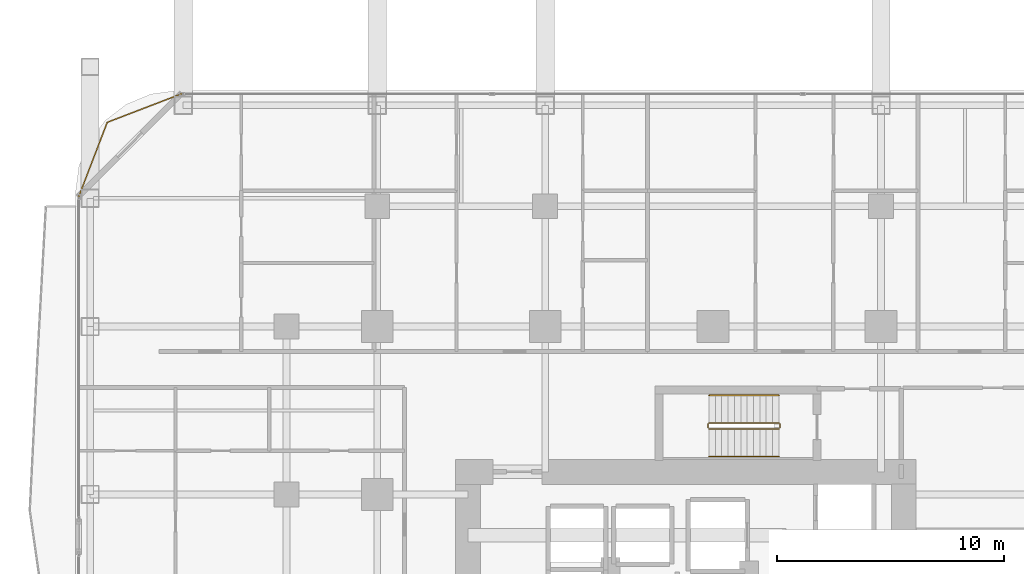
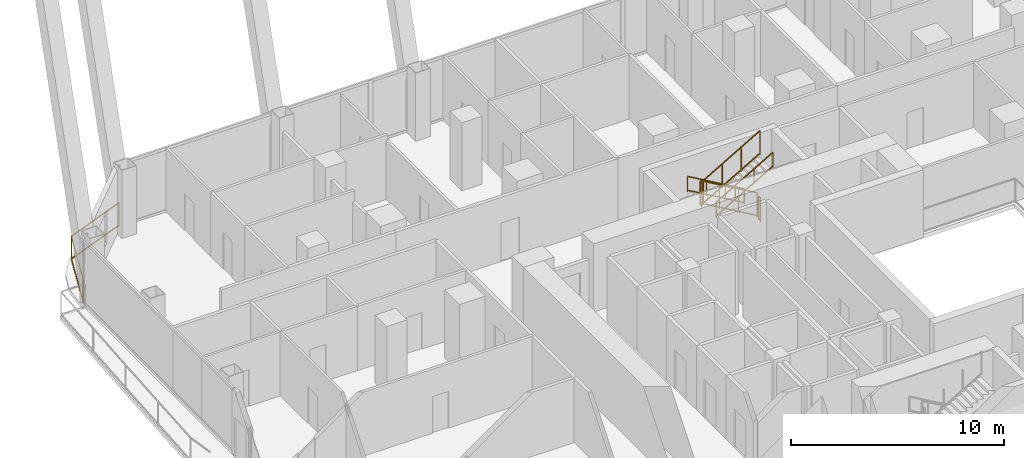
# One storey, part 32 of 33: 7 railings.
"""IFC4 building model written with IfcOpenShell, lengths in metres."""

import ifcopenshell
import ifcopenshell.guid

model = None  # the IFC model being written
_history = None  # IfcOwnerHistory: only IFC2X3 demands one
_inside = {}  # id of a spatial element -> (the spatial element, [elements in it])
_under = {}  # id of a project, library or spatial element -> (it, [spatial elements below it])
_declared = {}  # id of a project -> (the project, [libraries it declares])
_typed = {}  # id of a type object -> (the type object, [elements of that type])
_made_of = {}  # id of a material, layer set ... -> (it, [elements and type objects made of it])


def new_model(schema):
    """Start an empty IFC model of exactly this schema.

    Asked for "IFC4X3", IfcOpenShell would pick the latest addendum, in which some entities
    have other attributes; the version numbers below select the first issue.
    IFC2X3 requires an IfcOwnerHistory on every rooted entity: one is made here for all.
    """
    global model, _history
    if schema == "IFC4X3":
        model = ifcopenshell.file(schema_version=(4, 3, 0, 0))
    else:
        model = ifcopenshell.file(schema=schema)
    _inside.clear()
    _under.clear()
    _declared.clear()
    _typed.clear()
    _made_of.clear()
    _history = None
    if model.schema == "IFC2X3":
        org = make("IfcOrganization", Name="unknown")
        user = make(
            "IfcPersonAndOrganization",
            ThePerson=make("IfcPerson", FamilyName="unknown"),
            TheOrganization=org,
        )
        app = make(
            "IfcApplication",
            ApplicationDeveloper=org,
            Version="unknown",
            ApplicationFullName="unknown",
            ApplicationIdentifier="unknown",
        )
        _history = make(
            "IfcOwnerHistory",
            OwningUser=user,
            OwningApplication=app,
            ChangeAction="ADDED",
            CreationDate=0,
        )
    return model


def make(cls, **values):
    """One entity of the class cls with the attributes given. An attribute that is None is left unset."""
    return model.create_entity(
        cls, **{name: value for name, value in values.items() if value is not None}
    )


def rooted(cls, **values):
    """An entity with a GlobalId (a new one), such as an element, a storey or a relation."""
    return make(cls, GlobalId=ifcopenshell.guid.new(), OwnerHistory=_history, **values)


def si_unit(unit_type, name, prefix=None):
    """IfcSIUnit, for example si_unit("LENGTHUNIT", "METRE", prefix="MILLI")."""
    return make("IfcSIUnit", UnitType=unit_type, Prefix=prefix, Name=name)


def assignment(units):
    """IfcUnitAssignment: the units of a project."""
    return None if units is None else make("IfcUnitAssignment", Units=units)


def point(xyz):
    """IfcCartesianPoint."""
    return None if xyz is None else make("IfcCartesianPoint", Coordinates=xyz)


def direction(xyz):
    """IfcDirection."""
    return None if xyz is None else make("IfcDirection", DirectionRatios=xyz)


def frame(location, z_axis=None, x_axis=None):
    """IfcAxis2Placement3D, a coordinate frame: its origin and axes. An axis left out is left unset."""
    return make(
        "IfcAxis2Placement3D",
        Location=point(location),
        Axis=direction(z_axis),
        RefDirection=direction(x_axis),
    )


def frame_2d(location, x_axis=None):
    """IfcAxis2Placement2D, a coordinate frame in the plane: its origin and x axis."""
    return make(
        "IfcAxis2Placement2D", Location=point(location), RefDirection=direction(x_axis)
    )


def origin():
    """The frame at (0, 0, 0) with its axes left unset."""
    return frame((0.0, 0.0, 0.0))


def origin_2d():
    """The frame at (0, 0) in the plane with its x axis left unset."""
    return frame_2d((0.0, 0.0))


def place(relative_to, where):
    """IfcLocalPlacement: puts the frame where relative to a parent placement (None: the world)."""
    return make(
        "IfcLocalPlacement", PlacementRelTo=relative_to, RelativePlacement=where
    )


def context(
    kind, dimensions, precision=None, world=None, true_north=None, identifier=None
):
    """IfcGeometricRepresentationContext, for example the 3D "Model" context."""
    return make(
        "IfcGeometricRepresentationContext",
        ContextIdentifier=identifier,
        ContextType=kind,
        CoordinateSpaceDimension=dimensions,
        Precision=precision,
        WorldCoordinateSystem=world,
        TrueNorth=true_north,
    )


def subcontext(parent, identifier, kind, view, scale=None):
    """IfcGeometricRepresentationSubContext, for example "Body" below "Model"."""
    return make(
        "IfcGeometricRepresentationSubContext",
        ContextIdentifier=identifier,
        ContextType=kind,
        ParentContext=parent,
        TargetScale=scale,
        TargetView=view,
    )


def project(units=None, contexts=None):
    """IfcProject with its units and contexts."""
    return rooted(
        "IfcProject",
        Name="project",
        RepresentationContexts=contexts,
        UnitsInContext=assignment(units),
    )


def spatial(cls, under=None, at=None, **own):
    """A site, building, storey or space (cls), placed at a placement, below another one or the project."""
    s = rooted(cls, ObjectPlacement=at, **own)
    if under is not None:
        _under.setdefault(under.id(), (under, []))[1].append(s)
    return s


def profile(cls, at=None, kind="AREA", **sizes):
    """A parametric profile (cls). Its sizes go by their IFC names, for example OverallWidth=200.0."""
    return make(cls, ProfileType=kind, Position=at, **sizes)


def rectangle(**sizes):
    """IfcRectangleProfileDef."""
    return profile("IfcRectangleProfileDef", **sizes)


def extrude(swept, where, along, depth):
    """IfcExtrudedAreaSolid: the profile swept, set in the frame where, extruded along a direction by depth."""
    return make(
        "IfcExtrudedAreaSolid",
        SweptArea=swept,
        Position=where,
        ExtrudedDirection=direction(along),
        Depth=depth,
    )


def shape(context_of_items, identifier, shape_type, items):
    """IfcShapeRepresentation: the items that make up one representation, for example the "Body"."""
    return make(
        "IfcShapeRepresentation",
        ContextOfItems=context_of_items,
        RepresentationIdentifier=identifier,
        RepresentationType=shape_type,
        Items=items,
    )


def material(Name=None, Category=None):
    """IfcMaterial."""
    return make("IfcMaterial", Name=Name, Category=Category)


def made_of(thing, what):
    """Note that an element or type object is made of a material, layer set ...; save() writes the relation."""
    if what is not None:
        _made_of.setdefault(what.id(), (what, []))[1].append(thing)
    return thing


def type_object(cls, material=None, **own):
    """A type object (cls), such as IfcWallType, which elements share."""
    return made_of(rooted(cls, **own), material)


def element(
    cls,
    number,
    at=None,
    inside=None,
    cuts=None,
    type_object=None,
    material=None,
    context=None,
    identifier="Body",
    shape_type=None,
    held_by="IfcProductDefinitionShape",
    body=None,
    shapes=None,
    **own,
):
    """One element of the class cls, such as IfcWall. Its Tag is "e" and its number.

    at: its placement. inside: the storey or other place that contains it. cuts: it is an
    opening in that element (IfcRelVoidsElement). A single representation is given by context,
    identifier, shape_type and body (its items); several are given by shapes. held_by: the class
    of the entity that holds the representations. save() writes the other relations.
    """
    e = rooted(cls, Tag="e%d" % number, ObjectPlacement=at, **own)
    if body is not None:
        shapes = [shape(context, identifier, shape_type, body)]
    if shapes is not None:
        e.Representation = make(held_by, Representations=shapes)
    if inside is not None:
        _inside.setdefault(inside.id(), (inside, []))[1].append(e)
    if cuts is not None:
        rooted(
            "IfcRelVoidsElement", RelatingBuildingElement=cuts, RelatedOpeningElement=e
        )
    if type_object is not None:
        _typed.setdefault(type_object.id(), (type_object, []))[1].append(e)
    return made_of(e, material)


def aggregate(whole, parts):
    """IfcRelAggregates: a whole, such as a stair, and the parts it consists of."""
    return rooted("IfcRelAggregates", RelatingObject=whole, RelatedObjects=parts)


def save(model, path):
    """Write the relations noted so far, then the file.

    IfcRelAggregates (storeys below a building ...), IfcRelContainedInSpatialStructure (elements
    in a storey), IfcRelDefinesByType, IfcRelAssociatesMaterial and IfcRelDeclares: one each for
    every whole, place, type object, material and project.
    """
    for whole, parts in _under.values():
        aggregate(whole, parts)
    for where, things in _inside.values():
        rooted(
            "IfcRelContainedInSpatialStructure",
            RelatedElements=things,
            RelatingStructure=where,
        )
    for kind, things in _typed.values():
        rooted("IfcRelDefinesByType", RelatedObjects=things, RelatingType=kind)
    for what, things in _made_of.values():
        rooted("IfcRelAssociatesMaterial", RelatedObjects=things, RelatingMaterial=what)
    for by, libraries in _declared.values():
        rooted("IfcRelDeclares", RelatingContext=by, RelatedDefinitions=libraries)
    model.write(path)


model = new_model("IFC4")

# Units and contexts
model_context = context("Model", 3, precision=1e-05, world=origin(), true_north=direction((0.0, 1.0)))
body_context = subcontext(model_context, "Body", "Model", "MODEL_VIEW")
ifc_project = project(units=[si_unit("LENGTHUNIT", "METRE"), si_unit("AREAUNIT", "SQUARE_METRE"), si_unit("VOLUMEUNIT", "CUBIC_METRE"), si_unit("PLANEANGLEUNIT", "RADIAN"), si_unit("MASSUNIT", "GRAM", prefix="KILO")], contexts=[model_context])

# Site, building, storey
site_placement = place(None, origin())
site = spatial("IfcSite", under=ifc_project, at=site_placement, CompositionType="ELEMENT")
building_placement = place(site_placement, origin())
building = spatial("IfcBuilding", under=site, at=building_placement, Name="Khorvyn Point Tower", CompositionType="ELEMENT")
storey_placement = place(building_placement, frame((0.0, 0.0, 65.699951171875)))
storey = spatial("IfcBuildingStorey", under=building, at=storey_placement, Name="L17", CompositionType="ELEMENT", Elevation=65.699951171875)

# Railings
ifc_material_1 = material(Name="Anodised aluminium 6063-T6 and laminated safety glass", Category="aluminium")
railing_type_1 = type_object("IfcRailingType", Name="Laminated Glass and Aluminium Balcony Guardrail 1400", PredefinedType="BALUSTRADE", material=ifc_material_1)
railing_1_placement = place(storey_placement, frame((-23.370849609375, 25.073974609375, 0.0)))
element("IfcRailing", 1, at=railing_1_placement, inside=storey, type_object=railing_type_1, Name="L17 Rounded Corner Edge Guardrail NW", PredefinedType="BALUSTRADE", context=body_context, shape_type="SweptSolid", body=[
    extrude(rectangle(XDim=0.048095703125, YDim=0.048095703125, at=origin_2d()), frame((0.0, 0.0, 1.3759765625), z_axis=(-0.933575007025, -0.358382067435, 0.0), x_axis=(0.358382067435, -0.933575007025, 0.0)), (0.0, 0.0, 1.0), 3.562744140625),
    extrude(rectangle(XDim=0.048095703125, YDim=0.048095703125, at=origin_2d()), frame((0.0, 0.0, 0.080078125), z_axis=(-0.933575007025, -0.358382067435, 0.0), x_axis=(0.358382067435, -0.933575007025, 0.0)), (0.0, 0.0, 1.0), 3.562744140625),
    extrude(rectangle(XDim=0.048095703125, YDim=0.048095703125, at=origin_2d()), frame((-3.326171875, -1.27685546875, 1.3759765625), z_axis=(-0.35841886047, -0.933560882031, 0.0), x_axis=(0.933560882031, -0.35841886047, 0.0)), (0.0, 0.0, 1.0), 3.563232421875),
    extrude(rectangle(XDim=0.048095703125, YDim=0.048095703125, at=origin_2d()), frame((-3.326171875, -1.27685546875, 0.080078125), z_axis=(-0.35841886047, -0.933560882031, 0.0), x_axis=(0.933560882031, -0.35841886047, 0.0)), (0.0, 0.0, 1.0), 3.563232421875),
    extrude(rectangle(XDim=0.0419921875, YDim=0.0419921875, at=origin_2d()), origin(), (0.0, 0.0, 1.0), 1.351806640625),
    extrude(rectangle(XDim=0.0419921875, YDim=0.0419921875, at=origin_2d()), frame((-3.326171875, -1.27685546875, 0.0)), (0.0, 0.0, 1.0), 1.351806640625),
    extrude(rectangle(XDim=0.0419921875, YDim=0.0419921875, at=origin_2d()), frame((-4.603271484375, -4.603271484375, 0.0)), (0.0, 0.0, 1.0), 1.351806640625),
])
ifc_material_2 = material(Name="Stainless steel 1.4301", Category="steel")
railing_type_2 = type_object("IfcRailingType", Name="Stainless Steel 304 Stair Pitch Handrail 900", PredefinedType="HANDRAIL", material=ifc_material_2)
railing_2_placement = place(storey_placement, frame((2.89990234375, 11.77001953125, 0.16259765625)))
element("IfcRailing", 2, at=railing_2_placement, inside=storey, type_object=railing_type_2, Name="L17 ST-02 stair handrail 1", PredefinedType="HANDRAIL", context=body_context, shape_type="SweptSolid", body=[
    extrude(rectangle(XDim=0.048095703125, YDim=0.048095703125, at=origin_2d()), frame((0.0, 0.0, 0.8759765625), z_axis=(-0.864903211148, 0.0, 0.501938676878), x_axis=(0.0, -1.0, 0.0)), (0.0, 0.0, 1.0), 3.560791015625),
    extrude(rectangle(XDim=0.048095703125, YDim=0.048095703125, at=origin_2d()), frame((0.0, 0.0, 0.080078125), z_axis=(-0.864903211148, 0.0, 0.501938676878), x_axis=(0.0, -1.0, 0.0)), (0.0, 0.0, 1.0), 3.560791015625),
    extrude(rectangle(XDim=0.0419921875, YDim=0.0419921875, at=origin_2d()), origin(), (0.0, 0.0, 1.0), 0.851806640625),
    extrude(rectangle(XDim=0.0419921875, YDim=0.0419921875, at=origin_2d()), frame((-1.026611328125, 0.0, 0.595703125)), (0.0, 0.0, 1.0), 0.851806640625),
    extrude(rectangle(XDim=0.0419921875, YDim=0.0419921875, at=origin_2d()), frame((-2.05322265625, 0.0, 1.191650390625)), (0.0, 0.0, 1.0), 0.851806640625),
    extrude(rectangle(XDim=0.0419921875, YDim=0.0419921875, at=origin_2d()), frame((-3.079833984375, 0.0, 1.787353515625)), (0.0, 0.0, 1.0), 0.851806640625),
])
railing_3_placement = place(storey_placement, frame((-0.179931640625, 9.070068359375, 2.112548828125)))
element("IfcRailing", 3, at=railing_3_placement, inside=storey, type_object=railing_type_2, Name="L17 ST-02 stair handrail 2", PredefinedType="HANDRAIL", context=body_context, shape_type="SweptSolid", body=[
    extrude(rectangle(XDim=0.048095703125, YDim=0.048095703125, at=origin_2d()), frame((0.0, 0.0, 0.8759765625), z_axis=(0.864873446163, 0.0, 0.501989962173), x_axis=(0.0, 1.0, 0.0)), (0.0, 0.0, 1.0), 3.56103515625),
    extrude(rectangle(XDim=0.048095703125, YDim=0.048095703125, at=origin_2d()), frame((0.0, 0.0, 0.080078125), z_axis=(0.864873446163, 0.0, 0.501989962173), x_axis=(0.0, 1.0, 0.0)), (0.0, 0.0, 1.0), 3.56103515625),
    extrude(rectangle(XDim=0.0419921875, YDim=0.0419921875, at=origin_2d()), origin(), (0.0, 0.0, 1.0), 0.851806640625),
    extrude(rectangle(XDim=0.0419921875, YDim=0.0419921875, at=origin_2d()), frame((1.026611328125, 0.0, 0.595947265625)), (0.0, 0.0, 1.0), 0.851806640625),
    extrude(rectangle(XDim=0.0419921875, YDim=0.0419921875, at=origin_2d()), frame((2.05322265625, 0.0, 1.191650390625)), (0.0, 0.0, 1.0), 0.851806640625),
    extrude(rectangle(XDim=0.0419921875, YDim=0.0419921875, at=origin_2d()), frame((3.079833984375, 0.0, 1.78759765625)), (0.0, 0.0, 1.0), 0.851806640625),
])
railing_type_3 = type_object("IfcRailingType", Name="Stainless Steel 304 Stair Well Guardrail 1400", PredefinedType="GUARDRAIL", material=ifc_material_2)
railing_4_placement = place(storey_placement, frame((2.89990234375, 10.550048828125, 0.16259765625)))
element("IfcRailing", 4, at=railing_4_placement, inside=storey, type_object=railing_type_3, Name="L17 ST-02 stair guard 1", PredefinedType="GUARDRAIL", context=body_context, shape_type="SweptSolid", body=[
    extrude(rectangle(XDim=0.048095703125, YDim=0.048095703125, at=origin_2d()), frame((0.0, 0.0, 1.3759765625), z_axis=(-0.864903211148, 0.0, 0.501938676878), x_axis=(0.0, -1.0, 0.0)), (0.0, 0.0, 1.0), 3.560791015625),
    extrude(rectangle(XDim=0.048095703125, YDim=0.048095703125, at=origin_2d()), frame((0.0, 0.0, 0.080078125), z_axis=(-0.864903211148, 0.0, 0.501938676878), x_axis=(0.0, -1.0, 0.0)), (0.0, 0.0, 1.0), 3.560791015625),
    extrude(rectangle(XDim=0.0419921875, YDim=0.0419921875, at=origin_2d()), origin(), (0.0, 0.0, 1.0), 1.351806640625),
    extrude(rectangle(XDim=0.0419921875, YDim=0.0419921875, at=origin_2d()), frame((-1.026611328125, 0.0, 0.595703125)), (0.0, 0.0, 1.0), 1.351806640625),
    extrude(rectangle(XDim=0.0419921875, YDim=0.0419921875, at=origin_2d()), frame((-2.05322265625, 0.0, 1.191650390625)), (0.0, 0.0, 1.0), 1.351806640625),
    extrude(rectangle(XDim=0.0419921875, YDim=0.0419921875, at=origin_2d()), frame((-3.079833984375, 0.0, 1.787353515625)), (0.0, 0.0, 1.0), 1.351806640625),
])
railing_5_placement = place(storey_placement, frame((-0.22998046875, 10.5, 1.949951171875)))
element("IfcRailing", 5, at=railing_5_placement, inside=storey, type_object=railing_type_3, Name="L17 ST-02 stair guard 2", PredefinedType="GUARDRAIL", context=body_context, shape_type="SweptSolid", body=[
    extrude(rectangle(XDim=0.048095703125, YDim=0.048095703125, at=origin_2d()), frame((0.0, 0.0, 1.3759765625), z_axis=(0.0, -1.0, 0.0), x_axis=(1.0, 0.0, 0.0)), (0.0, 0.0, 1.0), 0.159912109375),
    extrude(rectangle(XDim=0.048095703125, YDim=0.048095703125, at=origin_2d()), frame((0.0, 0.0, 0.080078125), z_axis=(0.0, -1.0, 0.0), x_axis=(1.0, 0.0, 0.0)), (0.0, 0.0, 1.0), 0.159912109375),
    extrude(rectangle(XDim=0.0419921875, YDim=0.0419921875, at=origin_2d()), origin(), (0.0, 0.0, 1.0), 1.351806640625),
    extrude(rectangle(XDim=0.0419921875, YDim=0.0419921875, at=origin_2d()), frame((0.0, -0.159912109375, 0.0)), (0.0, 0.0, 1.0), 1.351806640625),
])
railing_6_placement = place(storey_placement, frame((-0.179931640625, 10.2900390625, 2.112548828125)))
element("IfcRailing", 6, at=railing_6_placement, inside=storey, type_object=railing_type_3, Name="L17 ST-02 stair guard 3", PredefinedType="GUARDRAIL", context=body_context, shape_type="SweptSolid", body=[
    extrude(rectangle(XDim=0.048095703125, YDim=0.048095703125, at=origin_2d()), frame((0.0, 0.0, 1.3759765625), z_axis=(0.864873446163, 0.0, 0.501989962173), x_axis=(0.0, 1.0, 0.0)), (0.0, 0.0, 1.0), 3.56103515625),
    extrude(rectangle(XDim=0.048095703125, YDim=0.048095703125, at=origin_2d()), frame((0.0, 0.0, 0.080078125), z_axis=(0.864873446163, 0.0, 0.501989962173), x_axis=(0.0, 1.0, 0.0)), (0.0, 0.0, 1.0), 3.56103515625),
    extrude(rectangle(XDim=0.0419921875, YDim=0.0419921875, at=origin_2d()), origin(), (0.0, 0.0, 1.0), 1.351806640625),
    extrude(rectangle(XDim=0.0419921875, YDim=0.0419921875, at=origin_2d()), frame((1.026611328125, 0.0, 0.595947265625)), (0.0, 0.0, 1.0), 1.351806640625),
    extrude(rectangle(XDim=0.0419921875, YDim=0.0419921875, at=origin_2d()), frame((2.05322265625, 0.0, 1.191650390625)), (0.0, 0.0, 1.0), 1.351806640625),
    extrude(rectangle(XDim=0.0419921875, YDim=0.0419921875, at=origin_2d()), frame((3.079833984375, 0.0, 1.78759765625)), (0.0, 0.0, 1.0), 1.351806640625),
])
railing_7_placement = place(storey_placement, frame((2.949951171875, 10.5, 0.0)))
element("IfcRailing", 7, at=railing_7_placement, inside=storey, type_object=railing_type_3, Name="L17 ST-02 stair guard 4", PredefinedType="GUARDRAIL", context=body_context, shape_type="SweptSolid", body=[
    extrude(rectangle(XDim=0.048095703125, YDim=0.048095703125, at=origin_2d()), frame((0.0, 0.0, 1.3759765625), z_axis=(0.0, -1.0, 0.0), x_axis=(1.0, 0.0, 0.0)), (0.0, 0.0, 1.0), 0.159912109375),
    extrude(rectangle(XDim=0.048095703125, YDim=0.048095703125, at=origin_2d()), frame((0.0, 0.0, 0.080078125), z_axis=(0.0, -1.0, 0.0), x_axis=(1.0, 0.0, 0.0)), (0.0, 0.0, 1.0), 0.159912109375),
    extrude(rectangle(XDim=0.0419921875, YDim=0.0419921875, at=origin_2d()), origin(), (0.0, 0.0, 1.0), 1.351806640625),
    extrude(rectangle(XDim=0.0419921875, YDim=0.0419921875, at=origin_2d()), frame((0.0, -0.159912109375, 0.0)), (0.0, 0.0, 1.0), 1.351806640625),
])

save(model, "model.ifc")
